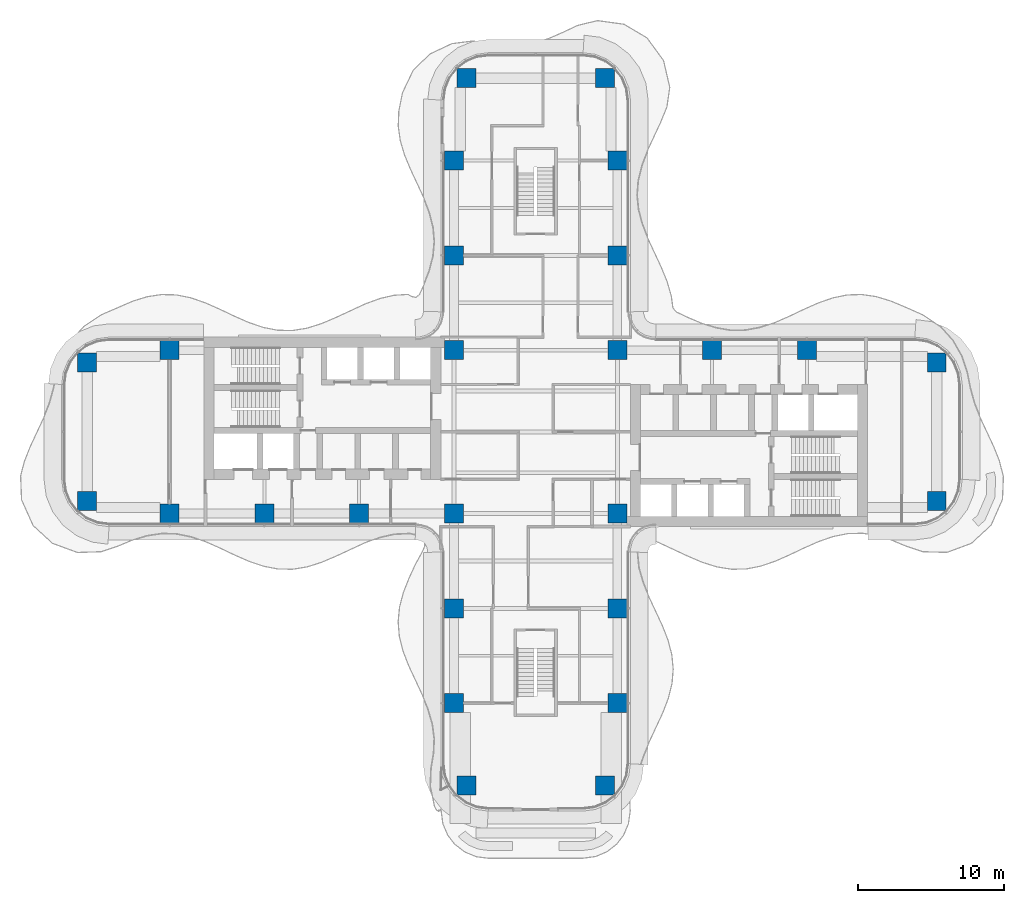
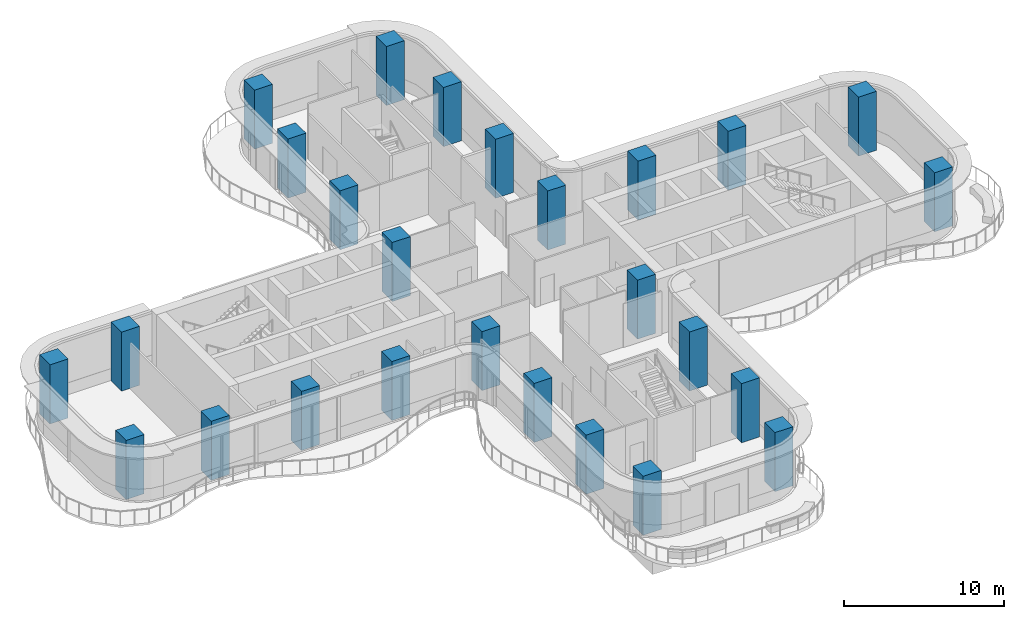
# One storey, part 1 of 22: 26 columns.
"""IFC4 building model written with IfcOpenShell, lengths in metres."""

import ifcopenshell
import ifcopenshell.guid

model = None  # the IFC model being written
_history = None  # IfcOwnerHistory: only IFC2X3 demands one
_inside = {}  # id of a spatial element -> (the spatial element, [elements in it])
_under = {}  # id of a project, library or spatial element -> (it, [spatial elements below it])
_declared = {}  # id of a project -> (the project, [libraries it declares])
_typed = {}  # id of a type object -> (the type object, [elements of that type])
_made_of = {}  # id of a material, layer set ... -> (it, [elements and type objects made of it])


def new_model(schema):
    """Start an empty IFC model of exactly this schema.

    Asked for "IFC4X3", IfcOpenShell would pick the latest addendum, in which some entities
    have other attributes; the version numbers below select the first issue.
    IFC2X3 requires an IfcOwnerHistory on every rooted entity: one is made here for all.
    """
    global model, _history
    if schema == "IFC4X3":
        model = ifcopenshell.file(schema_version=(4, 3, 0, 0))
    else:
        model = ifcopenshell.file(schema=schema)
    _inside.clear()
    _under.clear()
    _declared.clear()
    _typed.clear()
    _made_of.clear()
    _history = None
    if model.schema == "IFC2X3":
        org = make("IfcOrganization", Name="unknown")
        user = make(
            "IfcPersonAndOrganization",
            ThePerson=make("IfcPerson", FamilyName="unknown"),
            TheOrganization=org,
        )
        app = make(
            "IfcApplication",
            ApplicationDeveloper=org,
            Version="unknown",
            ApplicationFullName="unknown",
            ApplicationIdentifier="unknown",
        )
        _history = make(
            "IfcOwnerHistory",
            OwningUser=user,
            OwningApplication=app,
            ChangeAction="ADDED",
            CreationDate=0,
        )
    return model


def make(cls, **values):
    """One entity of the class cls with the attributes given. An attribute that is None is left unset."""
    return model.create_entity(
        cls, **{name: value for name, value in values.items() if value is not None}
    )


def rooted(cls, **values):
    """An entity with a GlobalId (a new one), such as an element, a storey or a relation."""
    return make(cls, GlobalId=ifcopenshell.guid.new(), OwnerHistory=_history, **values)


def si_unit(unit_type, name, prefix=None):
    """IfcSIUnit, for example si_unit("LENGTHUNIT", "METRE", prefix="MILLI")."""
    return make("IfcSIUnit", UnitType=unit_type, Prefix=prefix, Name=name)


def assignment(units):
    """IfcUnitAssignment: the units of a project."""
    return None if units is None else make("IfcUnitAssignment", Units=units)


def point(xyz):
    """IfcCartesianPoint."""
    return None if xyz is None else make("IfcCartesianPoint", Coordinates=xyz)


def direction(xyz):
    """IfcDirection."""
    return None if xyz is None else make("IfcDirection", DirectionRatios=xyz)


def frame(location, z_axis=None, x_axis=None):
    """IfcAxis2Placement3D, a coordinate frame: its origin and axes. An axis left out is left unset."""
    return make(
        "IfcAxis2Placement3D",
        Location=point(location),
        Axis=direction(z_axis),
        RefDirection=direction(x_axis),
    )


def frame_2d(location, x_axis=None):
    """IfcAxis2Placement2D, a coordinate frame in the plane: its origin and x axis."""
    return make(
        "IfcAxis2Placement2D", Location=point(location), RefDirection=direction(x_axis)
    )


def origin():
    """The frame at (0, 0, 0) with its axes left unset."""
    return frame((0.0, 0.0, 0.0))


def origin_2d():
    """The frame at (0, 0) in the plane with its x axis left unset."""
    return frame_2d((0.0, 0.0))


def place(relative_to, where):
    """IfcLocalPlacement: puts the frame where relative to a parent placement (None: the world)."""
    return make(
        "IfcLocalPlacement", PlacementRelTo=relative_to, RelativePlacement=where
    )


def context(
    kind, dimensions, precision=None, world=None, true_north=None, identifier=None
):
    """IfcGeometricRepresentationContext, for example the 3D "Model" context."""
    return make(
        "IfcGeometricRepresentationContext",
        ContextIdentifier=identifier,
        ContextType=kind,
        CoordinateSpaceDimension=dimensions,
        Precision=precision,
        WorldCoordinateSystem=world,
        TrueNorth=true_north,
    )


def subcontext(parent, identifier, kind, view, scale=None):
    """IfcGeometricRepresentationSubContext, for example "Body" below "Model"."""
    return make(
        "IfcGeometricRepresentationSubContext",
        ContextIdentifier=identifier,
        ContextType=kind,
        ParentContext=parent,
        TargetScale=scale,
        TargetView=view,
    )


def project(units=None, contexts=None):
    """IfcProject with its units and contexts."""
    return rooted(
        "IfcProject",
        Name="project",
        RepresentationContexts=contexts,
        UnitsInContext=assignment(units),
    )


def spatial(cls, under=None, at=None, **own):
    """A site, building, storey or space (cls), placed at a placement, below another one or the project."""
    s = rooted(cls, ObjectPlacement=at, **own)
    if under is not None:
        _under.setdefault(under.id(), (under, []))[1].append(s)
    return s


def profile(cls, at=None, kind="AREA", **sizes):
    """A parametric profile (cls). Its sizes go by their IFC names, for example OverallWidth=200.0."""
    return make(cls, ProfileType=kind, Position=at, **sizes)


def rectangle(**sizes):
    """IfcRectangleProfileDef."""
    return profile("IfcRectangleProfileDef", **sizes)


def extrude(swept, where, along, depth):
    """IfcExtrudedAreaSolid: the profile swept, set in the frame where, extruded along a direction by depth."""
    return make(
        "IfcExtrudedAreaSolid",
        SweptArea=swept,
        Position=where,
        ExtrudedDirection=direction(along),
        Depth=depth,
    )


def shape(context_of_items, identifier, shape_type, items):
    """IfcShapeRepresentation: the items that make up one representation, for example the "Body"."""
    return make(
        "IfcShapeRepresentation",
        ContextOfItems=context_of_items,
        RepresentationIdentifier=identifier,
        RepresentationType=shape_type,
        Items=items,
    )


def source(mapping_origin, context_of_items, identifier, shape_type, items):
    """IfcRepresentationMap: a shape defined once, which mapped items show again and again."""
    return make(
        "IfcRepresentationMap",
        MappingOrigin=mapping_origin,
        MappedRepresentation=shape(context_of_items, identifier, shape_type, items),
    )


def transform(
    local_origin,
    x_axis=None,
    y_axis=None,
    z_axis=None,
    scale=None,
    scale2=None,
    scale3=None,
    uniform=True,
):
    """IfcCartesianTransformationOperator3D, or its non-uniform kind. x_axis, y_axis, z_axis: its Axis1, 2, 3."""
    if uniform:
        return make(
            "IfcCartesianTransformationOperator3D",
            Axis1=direction(x_axis),
            Axis2=direction(y_axis),
            LocalOrigin=point(local_origin),
            Scale=scale,
            Axis3=direction(z_axis),
        )
    return make(
        "IfcCartesianTransformationOperator3DnonUniform",
        Axis1=direction(x_axis),
        Axis2=direction(y_axis),
        LocalOrigin=point(local_origin),
        Scale=scale,
        Axis3=direction(z_axis),
        Scale2=scale2,
        Scale3=scale3,
    )


def mapped(mapping_source, mapping_target):
    """IfcMappedItem: shows the shape of a source again, moved by a transform."""
    return make(
        "IfcMappedItem", MappingSource=mapping_source, MappingTarget=mapping_target
    )


def material(Name=None, Category=None):
    """IfcMaterial."""
    return make("IfcMaterial", Name=Name, Category=Category)


def material_profile(
    of_material, cross_section, Name=None, Category=None, Priority=None
):
    """IfcMaterialProfile: a cross section and its material."""
    return make(
        "IfcMaterialProfile",
        Name=Name,
        Material=of_material,
        Profile=cross_section,
        Priority=Priority,
        Category=Category,
    )


def profile_set(profiles, Name=None, composite=None):
    """IfcMaterialProfileSet."""
    return make(
        "IfcMaterialProfileSet",
        Name=Name,
        MaterialProfiles=profiles,
        CompositeProfile=composite,
    )


def made_of(thing, what):
    """Note that an element or type object is made of a material, layer set ...; save() writes the relation."""
    if what is not None:
        _made_of.setdefault(what.id(), (what, []))[1].append(thing)
    return thing


def type_object(cls, material=None, **own):
    """A type object (cls), such as IfcWallType, which elements share."""
    return made_of(rooted(cls, **own), material)


def element(
    cls,
    number,
    at=None,
    inside=None,
    cuts=None,
    type_object=None,
    material=None,
    context=None,
    identifier="Body",
    shape_type=None,
    held_by="IfcProductDefinitionShape",
    body=None,
    shapes=None,
    **own,
):
    """One element of the class cls, such as IfcWall. Its Tag is "e" and its number.

    at: its placement. inside: the storey or other place that contains it. cuts: it is an
    opening in that element (IfcRelVoidsElement). A single representation is given by context,
    identifier, shape_type and body (its items); several are given by shapes. held_by: the class
    of the entity that holds the representations. save() writes the other relations.
    """
    e = rooted(cls, Tag="e%d" % number, ObjectPlacement=at, **own)
    if body is not None:
        shapes = [shape(context, identifier, shape_type, body)]
    if shapes is not None:
        e.Representation = make(held_by, Representations=shapes)
    if inside is not None:
        _inside.setdefault(inside.id(), (inside, []))[1].append(e)
    if cuts is not None:
        rooted(
            "IfcRelVoidsElement", RelatingBuildingElement=cuts, RelatedOpeningElement=e
        )
    if type_object is not None:
        _typed.setdefault(type_object.id(), (type_object, []))[1].append(e)
    return made_of(e, material)


def aggregate(whole, parts):
    """IfcRelAggregates: a whole, such as a stair, and the parts it consists of."""
    return rooted("IfcRelAggregates", RelatingObject=whole, RelatedObjects=parts)


def save(model, path):
    """Write the relations noted so far, then the file.

    IfcRelAggregates (storeys below a building ...), IfcRelContainedInSpatialStructure (elements
    in a storey), IfcRelDefinesByType, IfcRelAssociatesMaterial and IfcRelDeclares: one each for
    every whole, place, type object, material and project.
    """
    for whole, parts in _under.values():
        aggregate(whole, parts)
    for where, things in _inside.values():
        rooted(
            "IfcRelContainedInSpatialStructure",
            RelatedElements=things,
            RelatingStructure=where,
        )
    for kind, things in _typed.values():
        rooted("IfcRelDefinesByType", RelatedObjects=things, RelatingType=kind)
    for what, things in _made_of.values():
        rooted("IfcRelAssociatesMaterial", RelatedObjects=things, RelatingMaterial=what)
    for by, libraries in _declared.values():
        rooted("IfcRelDeclares", RelatingContext=by, RelatedDefinitions=libraries)
    model.write(path)


model = new_model("IFC4")

# Units and contexts
model_context = context("Model", 3, precision=1e-05, world=origin(), true_north=direction((0.0, 1.0)))
body_context = subcontext(model_context, "Body", "Model", "MODEL_VIEW")
ifc_project = project(units=[si_unit("LENGTHUNIT", "METRE"), si_unit("AREAUNIT", "SQUARE_METRE"), si_unit("VOLUMEUNIT", "CUBIC_METRE"), si_unit("PLANEANGLEUNIT", "RADIAN"), si_unit("MASSUNIT", "GRAM", prefix="KILO")], contexts=[model_context])

# Site, building, storey
site_placement = place(None, origin())
site = spatial("IfcSite", under=ifc_project, at=site_placement, CompositionType="ELEMENT")
building_placement = place(site_placement, origin())
building = spatial("IfcBuilding", under=site, at=building_placement, Name="Trellis Farm Tower", CompositionType="ELEMENT")
storey_placement = place(building_placement, frame((0.0, 0.0, 124.5)))
storey = spatial("IfcBuildingStorey", under=building, at=storey_placement, Name="L26", CompositionType="ELEMENT", Elevation=124.5)

# Columns
ifc_material = material(Name="Concrete C80/95", Category="concrete")
ifc_material_profile = material_profile(ifc_material, rectangle(XDim=1.300048828125, YDim=1.300048828125, at=origin_2d()), Name="RC column 1300x1300 C80/95")
ifc_profile_set = profile_set([ifc_material_profile], Name="Concrete C80/95")
column_type = type_object("IfcColumnType", Name="RC column 1300x1300 C80/95", PredefinedType="COLUMN", material=ifc_profile_set)
shared_shape = source(origin(), body_context, "Body", "SweptSolid", [
    extrude(rectangle(XDim=1.300048828125, YDim=1.300048828125, at=origin_2d()), origin(), (0.0, 0.0, 1.0), 4.5),
])
for number, where, z_axis, x_axis, name in (
    (1, (12.10009765625, 5.60009765625, 0.0), (0.0, 0.0, 1.0), (1.0, 0.0, 0.0), "Column"),
    (2, (18.60009765625, 5.60009765625, 0.0), (0.0, 0.0, 1.0), (1.0, 0.0, 0.0), "Column"),
    (3, (27.5, 4.75, 0.0), (0.0, 0.0, 1.0), (1.0, 0.0, 0.0), "Column"),
    (4, (27.5, -4.75, 0.0), (0.0, 0.0, 1.0), (1.0, 0.0, 0.0), "Column"),
    (5, (-5.60009765625, 12.10009765625, 0.0), (0.0, 0.0, 1.0), (1.0, 0.0, 0.0), "Column"),
    (6, (-5.60009765625, 18.60009765625, 0.0), (0.0, 0.0, 1.0), (1.0, 0.0, 0.0), "Column"),
    (7, (-4.75, 24.25, 0.0), (0.0, 0.0, 1.0), (1.0, 0.0, 0.0), "Column"),
    (8, (5.60009765625, 12.10009765625, 0.0), (0.0, 0.0, 1.0), (1.0, 0.0, 0.0), "Column"),
    (9, (5.60009765625, 18.60009765625, 0.0), (0.0, 0.0, 1.0), (1.0, 0.0, 0.0), "Column"),
    (10, (4.75, 24.25, 0.0), (0.0, 0.0, 1.0), (1.0, 0.0, 0.0), "Column"),
    (11, (5.60009765625, 5.60009765625, 0.0), (0.0, 0.0, 1.0), (1.0, 0.0, 0.0), "Column"),
    (12, (-5.60009765625, 5.60009765625, 0.0), (0.0, 0.0, 1.0), (1.0, 0.0, 0.0), "Column"),
    (13, (5.60009765625, -5.60009765625, 0.0), (0.0, 0.0, 1.0), (1.0, 0.0, 0.0), "Column"),
    (14, (-5.60009765625, -5.60009765625, 0.0), (0.0, 0.0, 1.0), (1.0, 0.0, 0.0), "Column"),
    (15, (5.60009765625, -12.10009765625, 0.0), (0.0, 0.0, 1.0), (1.0, 0.0, 0.0), "Column"),
    (16, (5.60009765625, -18.60009765625, 0.0), (0.0, 0.0, 1.0), (1.0, 0.0, 0.0), "Column"),
    (17, (4.75, -24.25, 0.0), (0.0, 0.0, 1.0), (1.0, 0.0, 0.0), "Column"),
    (18, (-5.60009765625, -12.10009765625, 0.0), (0.0, 0.0, 1.0), (1.0, 0.0, 0.0), "Column"),
    (19, (-5.60009765625, -18.60009765625, 0.0), (0.0, 0.0, 1.0), (1.0, 0.0, 0.0), "Column"),
    (20, (-4.75, -24.25, 0.0), (0.0, 0.0, 1.0), (1.0, 0.0, 0.0), "Column"),
    (21, (-12.10009765625, -5.60009765625, 0.0), (0.0, 0.0, 1.0), (1.0, 0.0, 0.0), "Column"),
    (22, (-18.60009765625, -5.60009765625, 0.0), (0.0, 0.0, 1.0), (1.0, 0.0, 0.0), "Column"),
    (23, (-25.10009765625, -5.60009765625, 0.0), (0.0, 0.0, 1.0), (1.0, 0.0, 0.0), "Column"),
    (24, (-30.75, -4.75, 0.0), (0.0, 0.0, 1.0), (1.0, 0.0, 0.0), "Column"),
    (25, (-25.10009765625, 5.60009765625, 0.0), (0.0, 0.0, 1.0), (1.0, 0.0, 0.0), "Column"),
    (26, (-30.75, 4.75, 0.0), (0.0, 0.0, 1.0), (1.0, 0.0, 0.0), "Column"),
):
    element("IfcColumn", number, at=place(storey_placement, frame(where, z_axis=z_axis, x_axis=x_axis)), inside=storey, type_object=column_type, Name=name, PredefinedType="COLUMN", context=body_context, shape_type="MappedRepresentation", body=[
        mapped(shared_shape, transform((0.0, 0.0, 0.0))),
    ])

save(model, "model.ifc")
